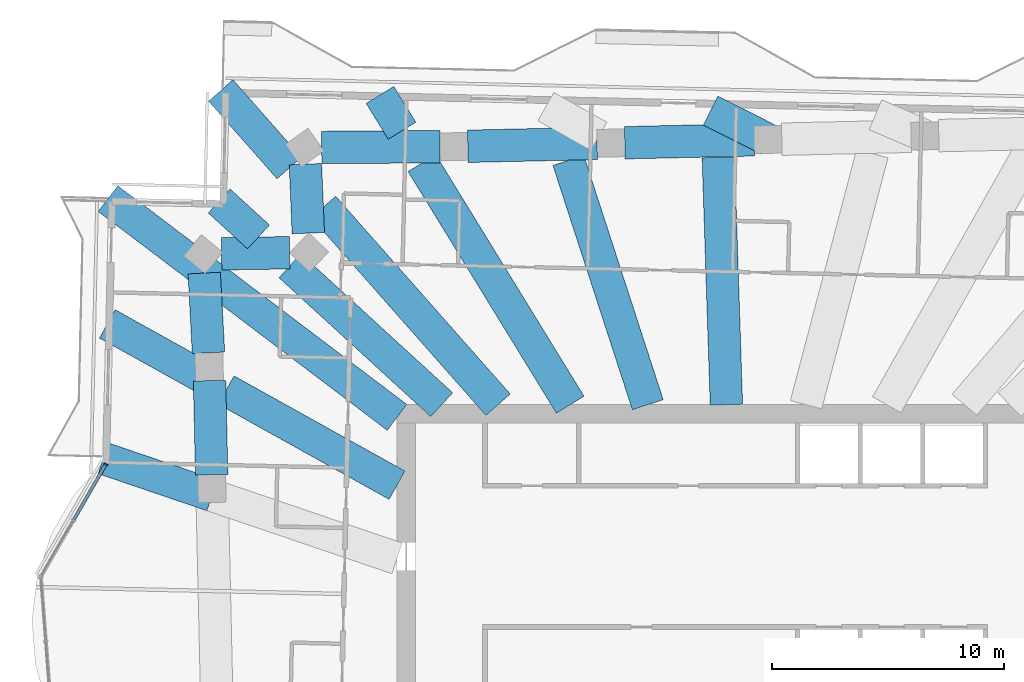
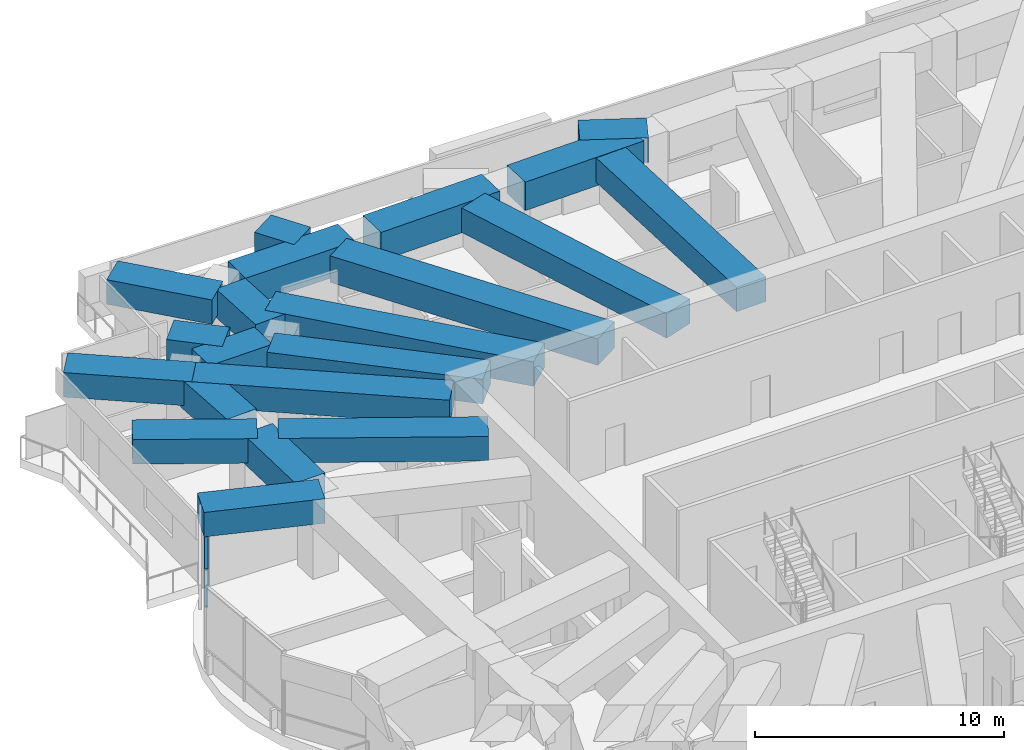
# One storey, part 5 of 19: 21 beams, 3 members, 1 element without a shape of its own.
"""IFC4 building model written with IfcOpenShell, lengths in metres."""

from ifc_helpers import new_model, si_unit, direction, frame, origin, origin_2d, place, context, subcontext, project, spatial, rectangle, extrude, material, material_profile, profile_set, type_object, element, aggregate, save


model = new_model("IFC4")

# Units and contexts
model_context = context("Model", 3, precision=1e-05, world=origin(), true_north=direction((0.0, 1.0)))
body_context = subcontext(model_context, "Body", "Model", "MODEL_VIEW")
ifc_project = project(units=[si_unit("LENGTHUNIT", "METRE"), si_unit("AREAUNIT", "SQUARE_METRE"), si_unit("VOLUMEUNIT", "CUBIC_METRE"), si_unit("PLANEANGLEUNIT", "RADIAN"), si_unit("MASSUNIT", "GRAM", prefix="KILO")], contexts=[model_context])

# Site, building, storey
site_placement = place(None, origin())
site = spatial("IfcSite", under=ifc_project, at=site_placement, CompositionType="ELEMENT")
building_placement = place(site_placement, origin())
building = spatial("IfcBuilding", under=site, at=building_placement, Name="Mangrove Gate Tower", CompositionType="ELEMENT")
storey_placement = place(building_placement, frame((0.0, 0.0, 193.300048828125)))
storey = spatial("IfcBuildingStorey", under=building, at=storey_placement, Name="L49", CompositionType="ELEMENT", Elevation=193.300048828125)

# Curtain wall, members
ifc_material_1 = material(Name="Aluminium and glass curtain wall", Category="aluminium")
curtain_wall_type = type_object("IfcCurtainWallType", Name="Sky-lounge glazing wall", PredefinedType="NOTDEFINED", material=ifc_material_1)
curtain_wall_placement = place(storey_placement, origin())
curtain_wall = element("IfcCurtainWall", 1, at=curtain_wall_placement, inside=storey, type_object=curtain_wall_type, Name="Sky-lounge glazing W9f1", PredefinedType="NOTDEFINED")
ifc_material_2 = material(Name="Aluminium alloy 6063-T6", Category="aluminium")
ifc_material_profile_1 = material_profile(ifc_material_2, rectangle(XDim=0.06005859375, YDim=0.179931640625, at=origin_2d()))
ifc_profile_set_1 = profile_set([ifc_material_profile_1], Name="Aluminium alloy 6063-T6")
member_type_1 = type_object("IfcMemberType", Name="Sky-lounge glazing mullion 60x180", PredefinedType="MULLION", material=ifc_profile_set_1)
member_1_placement = place(storey_placement, frame((-27.175537109375, 9.026611328125, 0.0), z_axis=(0.0, 0.0, 1.0), x_axis=(-0.500418160284, -0.865783844189, 0.0)))
member_1 = element("IfcMember", 2, at=member_1_placement, type_object=member_type_1, Name="CWK mullion 1", PredefinedType="MULLION", context=body_context, shape_type="SweptSolid", body=[
    extrude(rectangle(XDim=0.06005859375, YDim=0.179931640625, at=origin_2d()), origin(), (0.0, 0.0, 1.0), 2.849853515625),
])
ifc_material_3 = material(Name="Aluminium alloy 6063-T6", Category="aluminium")
ifc_material_profile_2 = material_profile(ifc_material_3, rectangle(XDim=0.06005859375, YDim=0.139892578125, at=origin_2d()))
ifc_profile_set_2 = profile_set([ifc_material_profile_2], Name="Aluminium alloy 6063-T6")
member_type_2 = type_object("IfcMemberType", Name="Sky-lounge glazing transom 60x140", PredefinedType="USERDEFINED", material=ifc_profile_set_2)
member_2_placement = place(storey_placement, frame((-27.190673828125, 9.00048828125, 1.0), z_axis=(-0.500398244711, -0.865795354972, 0.0), x_axis=(0.0, 0.0, 1.0)))
member_2 = element("IfcMember", 3, at=member_2_placement, type_object=member_type_2, Name="CWK transom 1.2", ObjectType="TRANSOM", PredefinedType="USERDEFINED", context=body_context, shape_type="SweptSolid", body=[
    extrude(rectangle(XDim=0.06005859375, YDim=0.139892578125, at=origin_2d()), origin(), (0.0, 0.0, 1.0), 2.730712890625),
])
member_3_placement = place(storey_placement, frame((-27.190673828125, 9.00048828125, 2.820068359375), z_axis=(-0.500398244711, -0.865795354972, 0.0), x_axis=(0.0, 0.0, 1.0)))
member_3 = element("IfcMember", 4, at=member_3_placement, type_object=member_type_2, Name="CWK transom 1.3", ObjectType="TRANSOM", PredefinedType="USERDEFINED", context=body_context, shape_type="SweptSolid", body=[
    extrude(rectangle(XDim=0.06005859375, YDim=0.139892578125, at=origin_2d()), origin(), (0.0, 0.0, 1.0), 2.730712890625),
])
aggregate(curtain_wall, [member_1, member_2, member_3])

# Beams
ifc_material_4 = material(Name="Concrete C60/75", Category="concrete")
ifc_material_profile_3 = material_profile(ifc_material_4, rectangle(XDim=1.39990234375, YDim=1.199951171875, at=origin_2d()))
ifc_profile_set_3 = profile_set([ifc_material_profile_3], Name="Concrete C60/75")
beam_type_1 = type_object("IfcBeamType", Name="Transfer girder RC 1400x1200 C60/75", PredefinedType="BEAM", material=ifc_profile_set_3)
beam_1_placement = place(storey_placement, frame((-0.37890625, 11.60009765625, 3.449951171875), z_axis=(-0.032619647854, 0.999467837689, 0.0), x_axis=(-0.999467837689, -0.032619647854, 0.0)))
element("IfcBeam", 5, at=beam_1_placement, inside=storey, type_object=beam_type_1, Name="Transfer girder L49 22", PredefinedType="BEAM", context=body_context, shape_type="SweptSolid", body=[
    extrude(rectangle(XDim=1.39990234375, YDim=1.199951171875, at=origin_2d()), origin(), (0.0, 0.0, 1.0), 10.687744140625),
])
beam_2_placement = place(storey_placement, frame((-3.772705078125, 11.60009765625, 3.449951171875), z_axis=(-0.309291641901, 0.950967234057, 0.0), x_axis=(-0.950967234057, -0.309291641901, 0.0)))
element("IfcBeam", 6, at=beam_2_placement, inside=storey, type_object=beam_type_1, Name="Transfer girder L49 23", PredefinedType="BEAM", context=body_context, shape_type="SweptSolid", body=[
    extrude(rectangle(XDim=1.39990234375, YDim=1.199951171875, at=origin_2d()), origin(), (0.0, 0.0, 1.0), 11.09033203125),
])
beam_3_placement = place(storey_placement, frame((-10.237060546875, 11.60009765625, 3.449951171875), z_axis=(-0.661701045223, 0.749767781884, 0.0), x_axis=(-0.749767781884, -0.661701045223, 0.0)))
element("IfcBeam", 7, at=beam_3_placement, inside=storey, type_object=beam_type_1, Name="Transfer girder L49 25", PredefinedType="BEAM", context=body_context, shape_type="SweptSolid", body=[
    extrude(rectangle(XDim=1.39990234375, YDim=1.199951171875, at=origin_2d()), origin(), (0.0, 0.0, 1.0), 11.38818359375),
])
beam_4_placement = place(storey_placement, frame((-19.2548828125, 21.818115234375, 3.449951171875), z_axis=(-0.661677642232, 0.74978843534, 0.0), x_axis=(-0.74978843534, -0.661677642232, 0.0)))
element("IfcBeam", 8, at=beam_4_placement, inside=storey, type_object=beam_type_1, Name="Transfer cantilever girder L49 25", PredefinedType="BEAM", context=body_context, shape_type="SweptSolid", body=[
    extrude(rectangle(XDim=1.39990234375, YDim=1.199951171875, at=origin_2d()), origin(), (0.0, 0.0, 1.0), 4.46923828125),
])
beam_5_placement = place(storey_placement, frame((-12.670654296875, 11.60009765625, 3.449951171875), z_axis=(-0.737580585609, 0.675259120436, 0.0), x_axis=(-0.675259120436, -0.737580585609, 0.0)))
element("IfcBeam", 9, at=beam_5_placement, inside=storey, type_object=beam_type_1, Name="Transfer girder L49 26", PredefinedType="BEAM", context=body_context, shape_type="SweptSolid", body=[
    extrude(rectangle(XDim=1.39990234375, YDim=1.199951171875, at=origin_2d()), origin(), (0.0, 0.0, 1.0), 8.884765625),
])
beam_6_placement = place(storey_placement, frame((-20.5810546875, 18.842041015625, 3.449951171875), z_axis=(-0.737568089154, 0.675272769969, 0.0), x_axis=(-0.675272769969, -0.737568089154, 0.0)))
element("IfcBeam", 10, at=beam_6_placement, inside=storey, type_object=beam_type_1, Name="Transfer cantilever girder L49 26", PredefinedType="BEAM", context=body_context, shape_type="SweptSolid", body=[
    extrude(rectangle(XDim=1.39990234375, YDim=1.199951171875, at=origin_2d()), origin(), (0.0, 0.0, 1.0), 2.300537109375),
])
beam_7_placement = place(storey_placement, frame((-14.60009765625, 11.053466796875, 3.449951171875), z_axis=(-0.797290860901, 0.603595297467, 0.0), x_axis=(-0.603595297467, -0.797290860901, 0.0)))
element("IfcBeam", 11, at=beam_7_placement, inside=storey, type_object=beam_type_1, Name="Transfer girder L49 27", PredefinedType="BEAM", context=body_context, shape_type="SweptSolid", body=[
    extrude(rectangle(XDim=1.39990234375, YDim=1.199951171875, at=origin_2d()), origin(), (0.0, 0.0, 1.0), 10.4453125),
])
beam_8_placement = place(storey_placement, frame((-22.927978515625, 17.358154296875, 3.449951171875), z_axis=(-0.797261144162, 0.60363454839, 0.0), x_axis=(-0.60363454839, -0.797261144162, 0.0)))
element("IfcBeam", 12, at=beam_8_placement, inside=storey, type_object=beam_type_1, Name="Transfer cantilever girder L49 27", PredefinedType="BEAM", context=body_context, shape_type="SweptSolid", body=[
    extrude(rectangle(XDim=1.39990234375, YDim=1.199951171875, at=origin_2d()), origin(), (0.0, 0.0, 1.0), 5.20361328125),
])
beam_9_placement = place(storey_placement, frame((-14.60009765625, 8.126220703125, 3.449951171875), z_axis=(-0.873777906052, 0.486325169918, 0.0), x_axis=(-0.486325169918, -0.873777906052, 0.0)))
element("IfcBeam", 13, at=beam_9_placement, inside=storey, type_object=beam_type_1, Name="Transfer girder L49 28", PredefinedType="BEAM", context=body_context, shape_type="SweptSolid", body=[
    extrude(rectangle(XDim=1.39990234375, YDim=1.199951171875, at=origin_2d()), origin(), (0.0, 0.0, 1.0), 8.44482421875),
])
beam_10_placement = place(storey_placement, frame((-22.712890625, 12.6416015625, 3.449951171875), z_axis=(-0.873776927396, 0.486326928259, 0.0), x_axis=(-0.486326928259, -0.873776927396, 0.0)))
element("IfcBeam", 14, at=beam_10_placement, inside=storey, type_object=beam_type_1, Name="Transfer cantilever girder L49 28", PredefinedType="BEAM", context=body_context, shape_type="SweptSolid", body=[
    extrude(rectangle(XDim=1.39990234375, YDim=1.199951171875, at=origin_2d()), origin(), (0.0, 0.0, 1.0), 5.029541015625),
])
beam_11_placement = place(storey_placement, frame((-22.58349609375, 7.685546875, 3.449951171875), z_axis=(-0.94669079805, 0.322143652563, 0.0), x_axis=(-0.322143652563, -0.94669079805, 0.0)))
element("IfcBeam", 15, at=beam_11_placement, inside=storey, type_object=beam_type_1, Name="Transfer cantilever girder L49 29", PredefinedType="BEAM", context=body_context, shape_type="SweptSolid", body=[
    extrude(rectangle(XDim=1.39990234375, YDim=1.199951171875, at=origin_2d()), origin(), (0.0, 0.0, 1.0), 4.95947265625),
])
beam_12_placement = place(storey_placement, frame((1.41455078125, 23.05126953125, 3.449951171875), z_axis=(-0.892958096914, 0.450139797348, 0.0), x_axis=(-0.450139797348, -0.892958096914, 0.0)))
element("IfcBeam", 16, at=beam_12_placement, inside=storey, type_object=beam_type_1, Name="Transfer edge girder L49 22", PredefinedType="BEAM", context=body_context, shape_type="SweptSolid", body=[
    extrude(rectangle(XDim=1.39990234375, YDim=1.199951171875, at=origin_2d()), origin(), (0.0, 0.0, 1.0), 2.767578125),
])
ifc_material_5 = material(Name="Concrete C60/75", Category="concrete")
ifc_material_profile_4 = material_profile(ifc_material_5, rectangle(XDim=1.39990234375, YDim=1.300048828125, at=origin_2d()))
ifc_profile_set_4 = profile_set([ifc_material_profile_4], Name="Concrete C60/75")
beam_type_2 = type_object("IfcBeamType", Name="Transfer girder RC 1400x1300 C60/75", PredefinedType="BEAM", material=ifc_profile_set_4)
beam_13_placement = place(storey_placement, frame((-7.1220703125, 11.60009765625, 3.39990234375), z_axis=(-0.523217046625, 0.852199461465, 0.0), x_axis=(-0.852199461465, -0.523217046625, 0.0)))
element("IfcBeam", 17, at=beam_13_placement, inside=storey, type_object=beam_type_2, Name="Transfer girder L49 24", PredefinedType="BEAM", context=body_context, shape_type="SweptSolid", body=[
    extrude(rectangle(XDim=1.39990234375, YDim=1.300048828125, at=origin_2d()), origin(), (0.0, 0.0, 1.0), 12.24267578125),
])
beam_14_placement = place(storey_placement, frame((-14.3857421875, 23.430908203125, 3.39990234375), z_axis=(-0.52328534737, 0.852157523717, 0.0), x_axis=(-0.852157523717, -0.52328534737, 0.0)))
element("IfcBeam", 18, at=beam_14_placement, inside=storey, type_object=beam_type_2, Name="Transfer cantilever girder L49 24", PredefinedType="BEAM", context=body_context, shape_type="SweptSolid", body=[
    extrude(rectangle(XDim=1.39990234375, YDim=1.300048828125, at=origin_2d()), origin(), (0.0, 0.0, 1.0), 1.81201171875),
])
ifc_material_6 = material(Name="Concrete C60/75", Category="concrete")
ifc_material_profile_5 = material_profile(ifc_material_6, rectangle(XDim=1.39990234375, YDim=1.39990234375, at=origin_2d()))
ifc_profile_set_5 = profile_set([ifc_material_profile_5], Name="Concrete C60/75")
beam_type_3 = type_object("IfcBeamType", Name="Transfer girder RC 1400x1400 C60/75", PredefinedType="BEAM", material=ifc_profile_set_5)
beam_15_placement = place(storey_placement, frame((0.814697265625, 23.03759765625, 3.349853515625), z_axis=(-0.999742129115, -0.022708484617, 0.0), x_axis=(0.022708484617, -0.999742129115, 0.0)))
element("IfcBeam", 19, at=beam_15_placement, inside=storey, type_object=beam_type_3, Name="Transfer ring girder L49 22", PredefinedType="BEAM", context=body_context, shape_type="SweptSolid", body=[
    extrude(rectangle(XDim=1.39990234375, YDim=1.39990234375, at=origin_2d()), origin(), (0.0, 0.0, 1.0), 5.579833984375),
])
beam_16_placement = place(storey_placement, frame((-5.96337890625, 22.883544921875, 3.349853515625), z_axis=(-0.999746153815, -0.022530599913, 0.0), x_axis=(0.022530599913, -0.999746153815, 0.0)))
element("IfcBeam", 20, at=beam_16_placement, inside=storey, type_object=beam_type_3, Name="Transfer ring girder L49 23", PredefinedType="BEAM", context=body_context, shape_type="SweptSolid", body=[
    extrude(rectangle(XDim=1.39990234375, YDim=1.39990234375, at=origin_2d()), origin(), (0.0, 0.0, 1.0), 5.58056640625),
])
beam_17_placement = place(storey_placement, frame((-12.742431640625, 22.740234375, 3.349853515625), z_axis=(-0.999977633911, -0.006688174505, 0.0), x_axis=(0.006688174505, -0.999977633911, 0.0)))
element("IfcBeam", 21, at=beam_17_placement, inside=storey, type_object=beam_type_3, Name="Transfer ring girder L49 24", PredefinedType="BEAM", context=body_context, shape_type="SweptSolid", body=[
    extrude(rectangle(XDim=1.39990234375, YDim=1.39990234375, at=origin_2d()), origin(), (0.0, 0.0, 1.0), 5.1103515625),
])
beam_18_placement = place(storey_placement, frame((-18.555908203125, 21.986083984375, 3.349853515625), z_axis=(0.041862254273, -0.999123391612, 0.0), x_axis=(0.999123391612, 0.041862254273, 0.0)))
element("IfcBeam", 22, at=beam_18_placement, inside=storey, type_object=beam_type_3, Name="Transfer ring girder L49 25", PredefinedType="BEAM", context=body_context, shape_type="SweptSolid", body=[
    extrude(rectangle(XDim=1.39990234375, YDim=1.39990234375, at=origin_2d()), origin(), (0.0, 0.0, 1.0), 2.980224609375),
])
beam_19_placement = place(storey_placement, frame((-19.2392578125, 18.162841796875, 3.349853515625), z_axis=(-0.999868543092, -0.016214084483, 0.0), x_axis=(0.016214084483, -0.999868543092, 0.0)))
element("IfcBeam", 23, at=beam_19_placement, inside=storey, type_object=beam_type_3, Name="Transfer ring girder L49 26", PredefinedType="BEAM", context=body_context, shape_type="SweptSolid", body=[
    extrude(rectangle(XDim=1.39990234375, YDim=1.39990234375, at=origin_2d()), origin(), (0.0, 0.0, 1.0), 2.936279296875),
])
beam_20_placement = place(storey_placement, frame((-22.924072265625, 17.28466796875, 3.349853515625), z_axis=(0.053067610798, -0.998590921591, 0.0), x_axis=(0.998590921591, 0.053067610798, 0.0)))
element("IfcBeam", 24, at=beam_20_placement, inside=storey, type_object=beam_type_3, Name="Transfer ring girder L49 27", PredefinedType="BEAM", context=body_context, shape_type="SweptSolid", body=[
    extrude(rectangle(XDim=1.39990234375, YDim=1.39990234375, at=origin_2d()), origin(), (0.0, 0.0, 1.0), 3.450439453125),
])
beam_21_placement = place(storey_placement, frame((-22.695556640625, 12.6396484375, 3.349853515625), z_axis=(0.022597173963, -0.999744651263, 0.0), x_axis=(0.999744651263, 0.022597173963, 0.0)))
element("IfcBeam", 25, at=beam_21_placement, inside=storey, type_object=beam_type_3, Name="Transfer ring girder L49 28", PredefinedType="BEAM", context=body_context, shape_type="SweptSolid", body=[
    extrude(rectangle(XDim=1.39990234375, YDim=1.39990234375, at=origin_2d()), origin(), (0.0, 0.0, 1.0), 4.062255859375),
])

save(model, "model.ifc")
